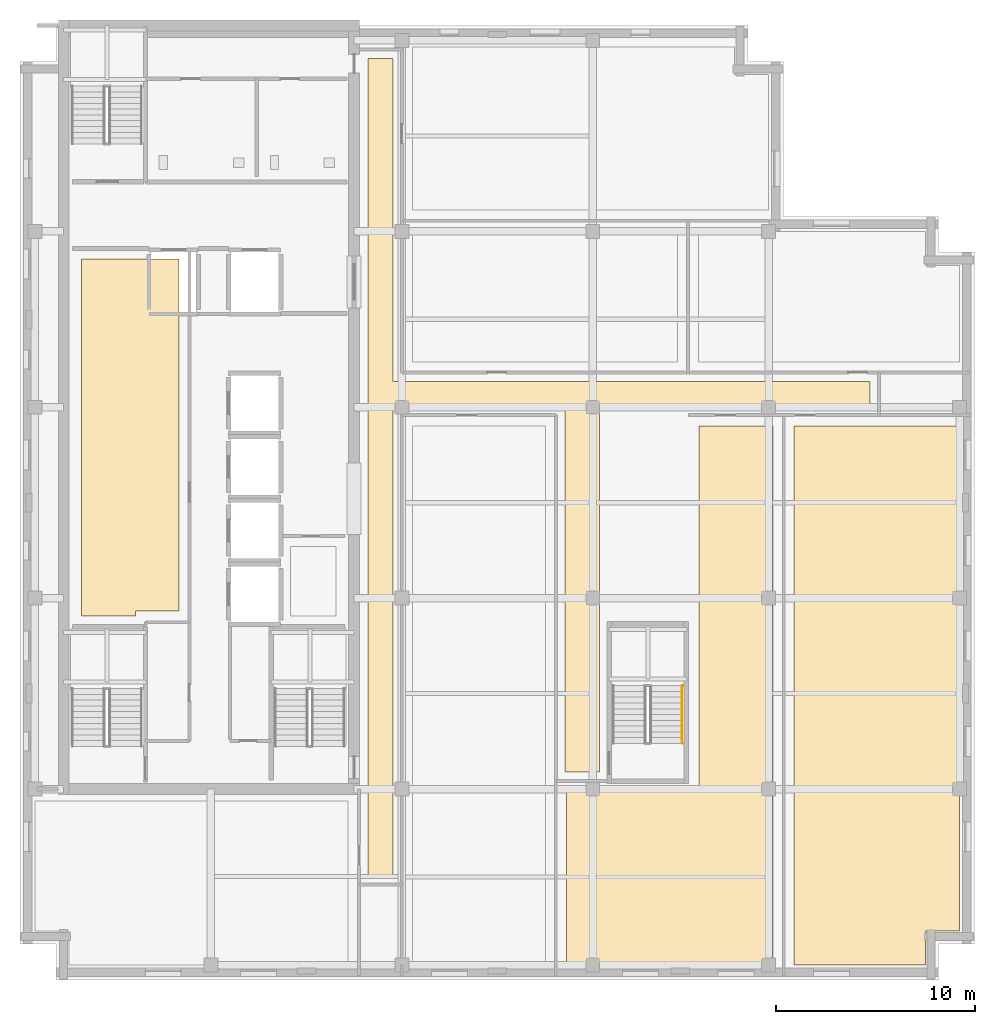
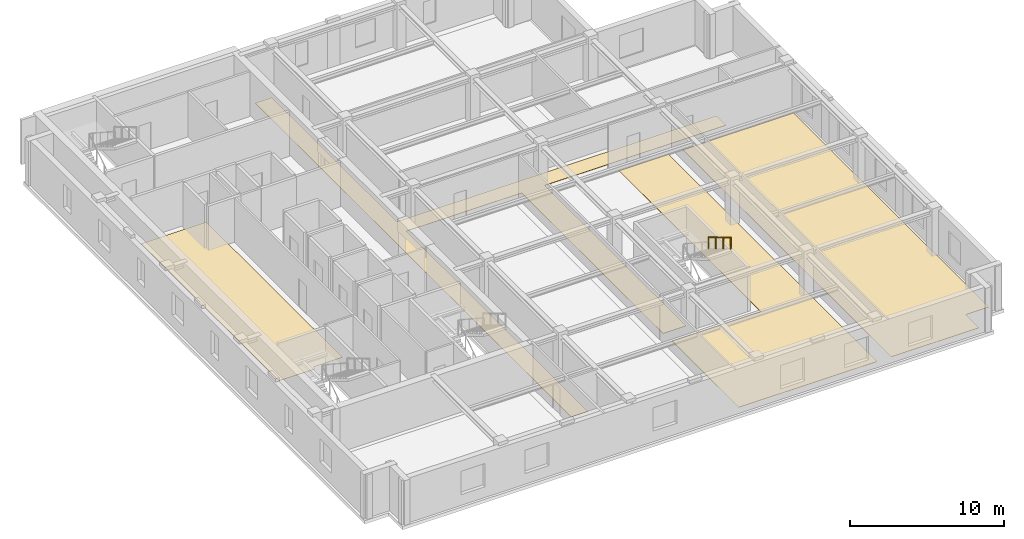
# One storey, part 7 of 10: 4 coverings, 1 railing.
"""IFC4 building model written with IfcOpenShell, lengths in metres."""

from ifc_helpers import new_model, si_unit, direction, frame, origin, origin_2d, place, context, subcontext, project, spatial, polyline, circle, outline, extrude, material, layer, layer_set, type_object, element, save


model = new_model("IFC4")

# Units and contexts
model_context = context("Model", 3, precision=1e-05, world=origin(), true_north=direction((0.0, 1.0)))
body_context = subcontext(model_context, "Body", "Model", "MODEL_VIEW")
ifc_project = project(units=[si_unit("LENGTHUNIT", "METRE"), si_unit("AREAUNIT", "SQUARE_METRE"), si_unit("VOLUMEUNIT", "CUBIC_METRE"), si_unit("PLANEANGLEUNIT", "RADIAN"), si_unit("MASSUNIT", "GRAM", prefix="KILO")], contexts=[model_context])

# Site, building, storey
site_placement = place(None, origin())
site = spatial("IfcSite", under=ifc_project, at=site_placement, CompositionType="ELEMENT")
building_placement = place(site_placement, origin())
building = spatial("IfcBuilding", under=site, at=building_placement, Name="Norrvale University Quadrangle", CompositionType="ELEMENT")
storey_placement = place(building_placement, frame((0.0, 0.0, 296.199951171875)))
storey = spatial("IfcBuildingStorey", under=building, at=storey_placement, Name="L75", CompositionType="ELEMENT", Elevation=296.199951171875)

# Coverings
ifc_material_1 = material(Name="Polished Terrazzo Flooring")
ifc_layer = layer(ifc_material_1, 0.02490234375, Name="Polished Terrazzo Flooring")
ifc_layer_set = layer_set([ifc_layer], Name="Polished Terrazzo Flooring")
covering_type = type_object("IfcCoveringType", Name="Covering Terrazzo Floor 30", PredefinedType="FLOORING", material=ifc_layer_set)
covering_1_placement = place(storey_placement, origin())
element("IfcCovering", 1, at=covering_1_placement, inside=storey, type_object=covering_type, Name="Terrazzo Flooring RM-L75-REC2", PredefinedType="FLOORING", context=body_context, shape_type="SweptSolid", body=[
    extrude(outline(polyline([(3.10009765625, 18.300048828125), (3.10009765625, 36.25), (8.0, 36.25), (8.0, 18.550048828125), (5.800048828125, 18.550048828125), (5.800048828125, 18.300048828125), (3.10009765625, 18.300048828125)])), origin(), (0.0, 0.0, 1.0), 0.025146484375),
])
covering_2_placement = place(storey_placement, origin())
element("IfcCovering", 2, at=covering_2_placement, inside=storey, type_object=covering_type, Name="Terrazzo Flooring RM-L75-CORR1", PredefinedType="FLOORING", context=body_context, shape_type="SweptSolid", body=[
    extrude(outline(polyline([(17.5, 5.25), (17.5, 46.35009765625), (18.75, 46.35009765625), (18.75, 30.10009765625), (42.75, 30.10009765625), (42.75, 28.85009765625), (29.1298828125, 28.85009765625), (29.1298828125, 10.449951171875), (27.39990234375, 10.449951171875), (27.39990234375, 28.85009765625), (18.75, 28.85009765625), (18.75, 5.25), (17.5, 5.25)])), origin(), (0.0, 0.0, 1.0), 0.025146484375),
])
covering_3_placement = place(storey_placement, origin())
element("IfcCovering", 3, at=covering_3_placement, inside=storey, type_object=covering_type, Name="Terrazzo Flooring RM-L75-SE2", PredefinedType="FLOORING", context=body_context, shape_type="SweptSolid", body=[
    extrude(outline(polyline([(27.47998046875, 9.449951171875), (34.14990234375, 9.449951171875), (34.14990234375, 27.8701171875), (37.8701171875, 27.8701171875), (37.8701171875, 0.75), (27.47998046875, 0.75), (27.47998046875, 9.449951171875)])), origin(), (0.0, 0.0, 1.0), 0.025146484375),
])
covering_4_placement = place(storey_placement, origin())
element("IfcCovering", 4, at=covering_4_placement, inside=storey, type_object=covering_type, Name="Terrazzo Flooring RM-L75-SE3", PredefinedType="FLOORING", context=body_context, shape_type="SweptSolid", body=[
    extrude(outline(polyline([(38.929931640625, 0.75), (38.929931640625, 27.8701171875), (47.25, 27.8701171875), (47.25, 2.469970703125), (45.530029296875, 2.469970703125), (45.530029296875, 0.75), (38.929931640625, 0.75)])), origin(), (0.0, 0.0, 1.0), 0.025146484375),
])

# Railing
ifc_material_2 = material(Name="Stainless Steel 316L Handrail", Category="steel")
railing_type = type_object("IfcRailingType", Name="Railing Stair Handrail 920", PredefinedType="HANDRAIL", material=ifc_material_2)
railing_placement = place(storey_placement, frame((33.31005859375, 14.800048828125, 2.07275390625)))
element("IfcRailing", 5, at=railing_placement, inside=storey, type_object=railing_type, Name="Stair Upper Flight Handrail ST-04 L75", PredefinedType="HANDRAIL", context=body_context, shape_type="SweptSolid", body=[
    extrude(circle(Radius=0.02392578125, at=origin_2d()), frame((0.0, 0.0, 0.89599609375), z_axis=(0.0, -0.859160404282, 0.51170636083), x_axis=(1.0, 0.0, 0.0)), (0.0, 0.0, 1.0), 3.37548828125),
    extrude(circle(Radius=0.02099609375, at=origin_2d()), origin(), (0.0, 0.0, 1.0), 0.871826171875),
    extrude(circle(Radius=0.02099609375, at=origin_2d()), frame((0.0, -0.966796875, 0.57568359375)), (0.0, 0.0, 1.0), 0.871826171875),
    extrude(circle(Radius=0.02099609375, at=origin_2d()), frame((0.0, -1.933349609375, 1.151611328125)), (0.0, 0.0, 1.0), 0.871826171875),
    extrude(circle(Radius=0.02099609375, at=origin_2d()), frame((0.0, -2.900146484375, 1.727294921875)), (0.0, 0.0, 1.0), 0.871826171875),
])

save(model, "model.ifc")
